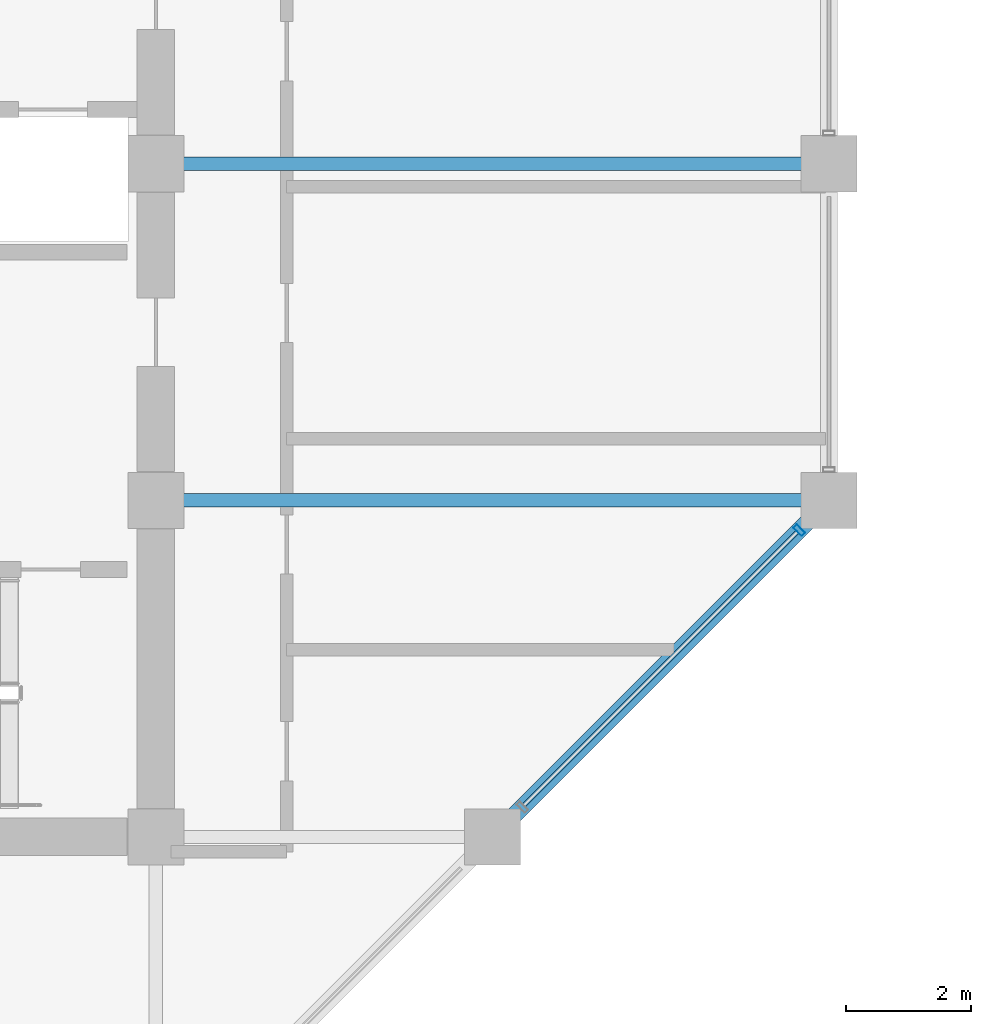
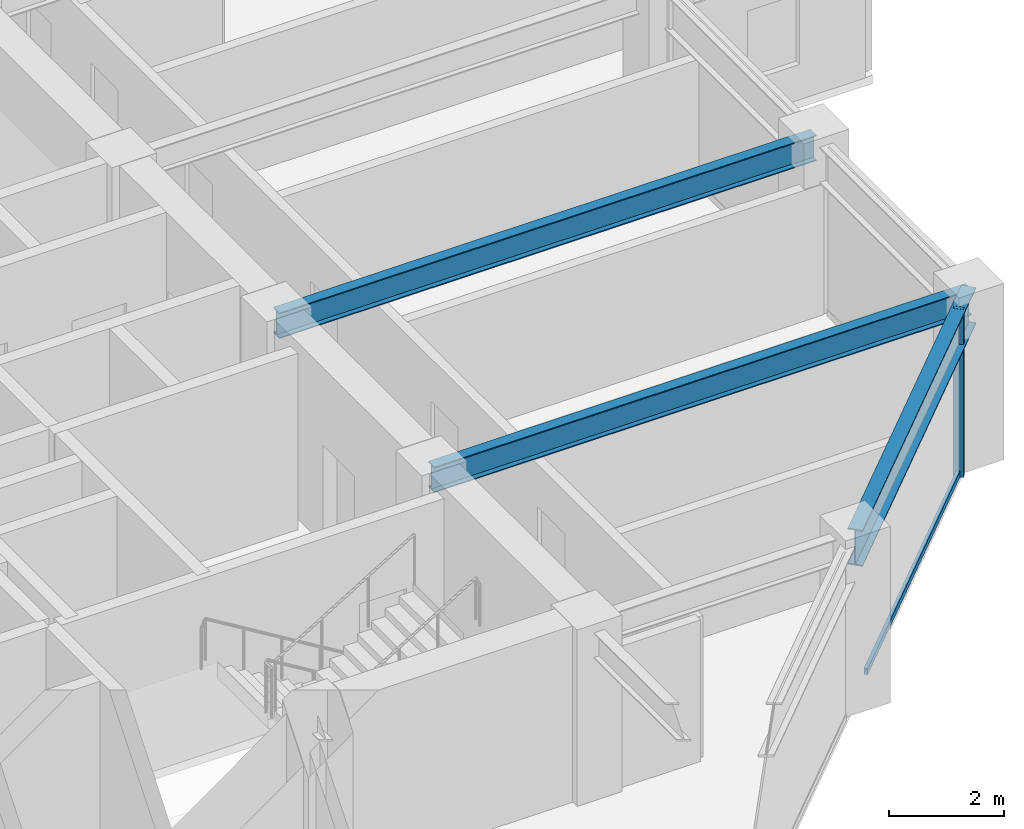
# One storey, part 10 of 28: 3 beams, 2 members, 1 element without a shape of its own.
"""IFC4 building model written with IfcOpenShell, lengths in metres."""

from ifc_helpers import new_model, si_unit, direction, frame, origin, origin_2d, place, context, subcontext, project, spatial, hollow_rectangle, i_section, extrude, material, layer, layer_set, material_profile, profile_set, type_object, element, aggregate, save


model = new_model("IFC4")

# Units and contexts
model_context = context("Model", 3, precision=1e-05, world=origin(), true_north=direction((0.0, 1.0)))
body_context = subcontext(model_context, "Body", "Model", "MODEL_VIEW")
ifc_project = project(units=[si_unit("LENGTHUNIT", "METRE"), si_unit("AREAUNIT", "SQUARE_METRE"), si_unit("VOLUMEUNIT", "CUBIC_METRE"), si_unit("PLANEANGLEUNIT", "RADIAN"), si_unit("MASSUNIT", "GRAM", prefix="KILO")], contexts=[model_context])

# Site, building, storey
site_placement = place(None, origin())
site = spatial("IfcSite", under=ifc_project, at=site_placement, CompositionType="ELEMENT")
building_placement = place(site_placement, origin())
building = spatial("IfcBuilding", under=site, at=building_placement, Name="Surkhivell Harbour Commons", CompositionType="ELEMENT")
storey_placement = place(building_placement, frame((0.0, 0.0, 178.5)))
storey = spatial("IfcBuildingStorey", under=building, at=storey_placement, Name="L46", CompositionType="ELEMENT", Elevation=178.5)

# Beams
ifc_material_1 = material(Name="Steel S355", Category="steel")
ifc_material_profile_1 = material_profile(ifc_material_1, i_section(OverallWidth=0.2119140625, OverallDepth=0.5439453125, WebThickness=0.0126953125, FlangeThickness=0.021240234375, at=origin_2d()), Name="UB533x210x122")
ifc_profile_set_1 = profile_set([ifc_material_profile_1], Name="Steel S355")
beam_type_1 = type_object("IfcBeamType", Name="BM-GRD-533A", PredefinedType="BEAM", material=ifc_profile_set_1)
for number, where, z_axis, x_axis, name in (
    (1, (10.800048828125, -5.39990234375, 3.298095703125), (1.0, 0.0, 0.0), (0.0, 1.0, 0.0), "L46 Floor Girder (10.8,-5.4)"),
    (2, (10.800048828125, 0.0, 3.298095703125), (1.0, 0.0, 0.0), (0.0, 1.0, 0.0), "L46 Floor Girder (10.8,0.0)"),
):
    element("IfcBeam", number, at=place(storey_placement, frame(where, z_axis=z_axis, x_axis=x_axis)), inside=storey, type_object=beam_type_1, Name=name, PredefinedType="BEAM", context=body_context, shape_type="SweptSolid", body=[
        extrude(i_section(OverallWidth=0.2119140625, OverallDepth=0.5439453125, WebThickness=0.0126953125, FlangeThickness=0.021240234375, at=origin_2d()), origin(), (0.0, 0.0, 1.0), 10.800048828125),
    ])
ifc_material_profile_2 = material_profile(ifc_material_1, i_section(OverallWidth=0.26806640625, OverallDepth=0.77001953125, WebThickness=0.015625, FlangeThickness=0.025390625, at=origin_2d()), Name="UB762x267x197")
ifc_profile_set_2 = profile_set([ifc_material_profile_2], Name="Steel S355")
beam_type_2 = type_object("IfcBeamType", Name="BM-SPN-762", PredefinedType="SPANDREL", material=ifc_profile_set_2)
beam_placement = place(storey_placement, frame((16.199951171875, -10.800048828125, 3.18505859375), z_axis=(0.707106781187, 0.707106781187, 0.0), x_axis=(-0.707106781187, 0.707106781187, 0.0)))
element("IfcBeam", 3, at=beam_placement, inside=storey, type_object=beam_type_2, Name="L46 Tube Spandrel (16.2,-10.8)", PredefinedType="SPANDREL", context=body_context, shape_type="SweptSolid", body=[
    extrude(i_section(OverallWidth=0.26806640625, OverallDepth=0.77001953125, WebThickness=0.015625, FlangeThickness=0.025390625, at=origin_2d()), origin(), (0.0, 0.0, 1.0), 7.636962890625),
])

# Curtain wall, members
ifc_material_2 = material(Name="Anodised pale-metal aluminium and insulated glazing", Category="aluminium")
ifc_layer = layer(ifc_material_2, 0.18994140625)
ifc_layer_set = layer_set([ifc_layer], Name="Anodised pale-metal aluminium and insulated glazing")
curtain_wall_type = type_object("IfcCurtainWallType", Name="CW-SYS-Z3", PredefinedType="NOTDEFINED", material=ifc_layer_set)
curtain_wall_placement = place(storey_placement, origin())
curtain_wall = element("IfcCurtainWall", 4, at=curtain_wall_placement, inside=storey, type_object=curtain_wall_type, Name="L46 Curtain Wall CW-L46-E01", PredefinedType="NOTDEFINED")
ifc_material_3 = material(Name="Anodised pale-metal aluminium alloy 6063-T6", Category="aluminium")
ifc_material_profile_3 = material_profile(ifc_material_3, hollow_rectangle(XDim=0.074951171875, YDim=0.18994140625, WallThickness=0.00390625, at=origin_2d()), Name="ALU-MULL-75x190")
ifc_profile_set_3 = profile_set([ifc_material_profile_3], Name="Anodised pale-metal aluminium alloy 6063-T6")
member_type_1 = type_object("IfcMemberType", Name="CWM-190", PredefinedType="MULLION", material=ifc_profile_set_3)
member_1_placement = place(storey_placement, frame((21.121826171875, -5.878173828125, 0.0), z_axis=(0.0, 0.0, 1.0), x_axis=(0.707106781187, 0.707106781187, 0.0)))
member_1 = element("IfcMember", 5, at=member_1_placement, type_object=member_type_1, Name="CW-Z3 mullion 4", PredefinedType="MULLION", context=body_context, shape_type="SweptSolid", body=[
    extrude(hollow_rectangle(XDim=0.074951171875, YDim=0.18994140625, WallThickness=0.00390625, at=origin_2d()), origin(), (0.0, 0.0, 1.0), 3.570068359375),
])
ifc_material_4 = material(Name="Champagne anodised aluminium alloy 6063-T6", Category="aluminium")
ifc_material_profile_4 = material_profile(ifc_material_4, hollow_rectangle(XDim=0.070068359375, YDim=0.1298828125, WallThickness=0.00341796875, at=origin_2d()), Name="ALU-TRAN-70x130")
ifc_profile_set_4 = profile_set([ifc_material_profile_4], Name="Champagne anodised aluminium alloy 6063-T6")
member_type_2 = type_object("IfcMemberType", Name="CWT-130", PredefinedType="USERDEFINED", material=ifc_profile_set_4)
member_2_placement = place(storey_placement, frame((16.70458984375, -10.29541015625, 0.06494140625), z_axis=(0.707106781187, 0.707106781187, 0.0), x_axis=(-0.707106781187, 0.707106781187, 0.0)))
member_2 = element("IfcMember", 6, at=member_2_placement, type_object=member_type_2, Name="CW-Z3 transom 3.1", ObjectType="TRANSOM", PredefinedType="USERDEFINED", context=body_context, shape_type="SweptSolid", body=[
    extrude(hollow_rectangle(XDim=0.070068359375, YDim=0.1298828125, WallThickness=0.00341796875, at=origin_2d()), origin(), (0.0, 0.0, 1.0), 6.209228515625),
])
aggregate(curtain_wall, [member_1, member_2])

save(model, "model.ifc")
